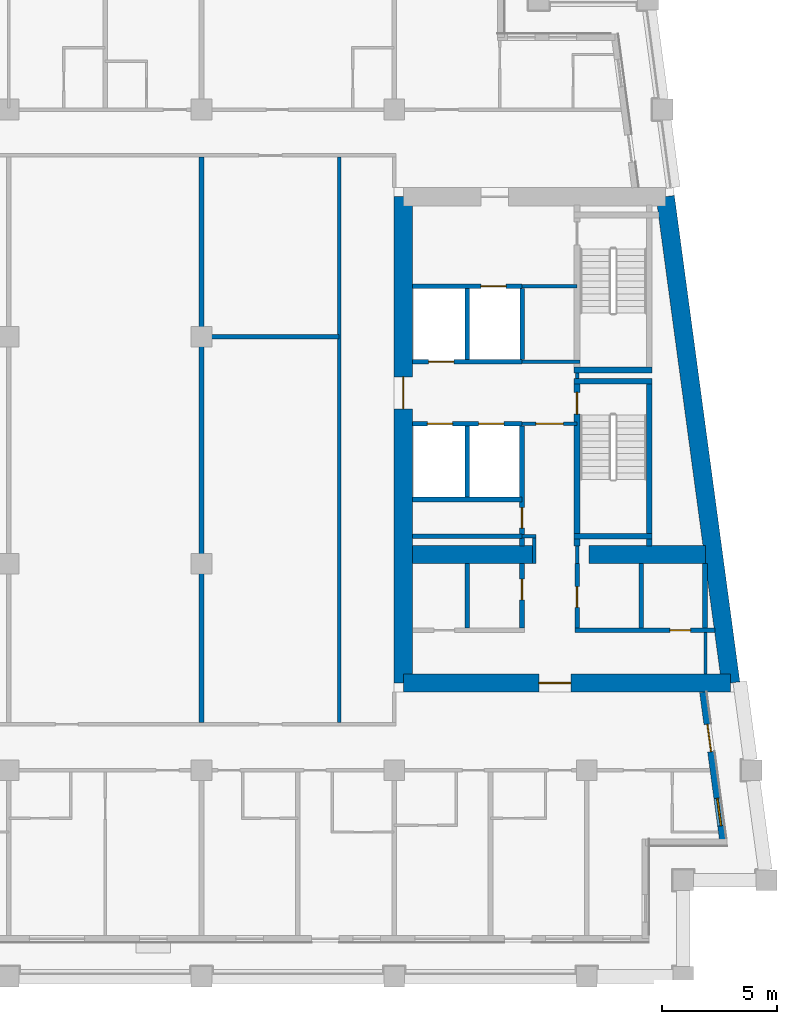
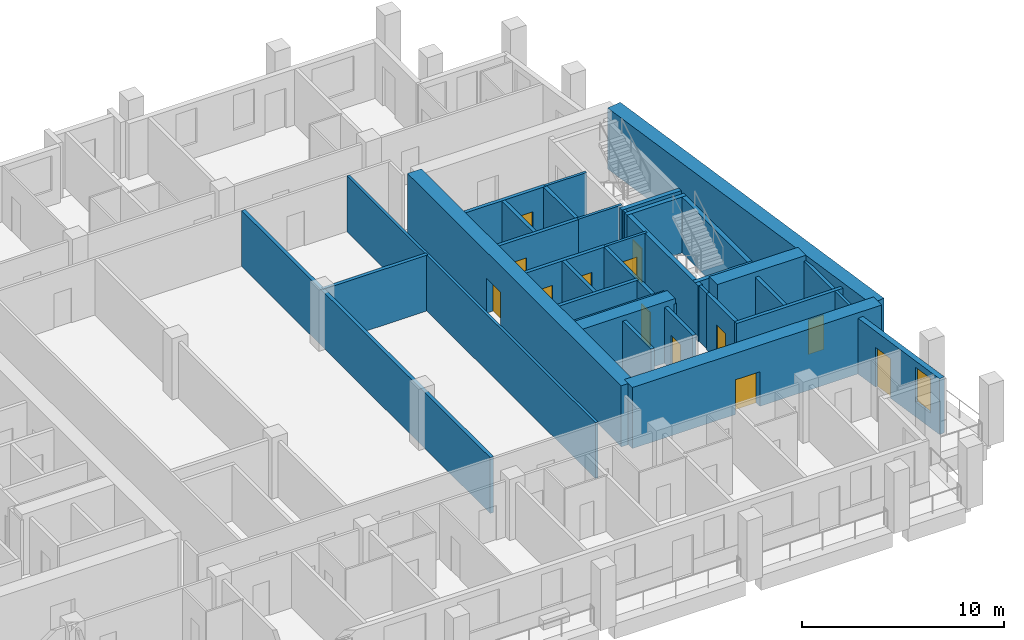
# One storey, part 5 of 13: 37 walls, 13 doors, 1 window, 14 openings.
"""IFC4 building model written with IfcOpenShell, lengths in metres."""

from ifc_helpers import new_model, si_unit, direction, frame, frame_2d, origin, place, context, subcontext, project, spatial, rectangle, extrude, material, layer, layer_set, type_object, element, fill, save


model = new_model("IFC4")

# Units and contexts
model_context = context("Model", 3, precision=1e-05, world=origin(), true_north=direction((0.0, 1.0)))
body_context = subcontext(model_context, "Body", "Model", "MODEL_VIEW")
ifc_project = project(units=[si_unit("LENGTHUNIT", "METRE"), si_unit("AREAUNIT", "SQUARE_METRE"), si_unit("VOLUMEUNIT", "CUBIC_METRE"), si_unit("PLANEANGLEUNIT", "RADIAN"), si_unit("MASSUNIT", "GRAM", prefix="KILO")], contexts=[model_context])

# Site, building, storey
site_placement = place(None, origin())
site = spatial("IfcSite", under=ifc_project, at=site_placement, CompositionType="ELEMENT")
building_placement = place(site_placement, origin())
building = spatial("IfcBuilding", under=site, at=building_placement, Name="Candeia Pilgrim Tower and Theatre", CompositionType="ELEMENT")
storey_placement = place(building_placement, frame((0.0, 0.0, 220.699951171875)))
storey = spatial("IfcBuildingStorey", under=building, at=storey_placement, Name="L53", CompositionType="ELEMENT", Elevation=220.699951171875)

# Wall
ifc_material_1 = material(Name="Concrete C50/60", Category="concrete")
ifc_layer_1 = layer(ifc_material_1, 0.800048828125)
ifc_layer_set_1 = layer_set([ifc_layer_1], Name="Core wall 800 C50/60")
wall_type_1 = type_object("IfcWallType", Name="Core wall 800 C50/60", PredefinedType="SHEAR", material=ifc_layer_set_1)
wall_1_placement = place(storey_placement, frame((137.819580078125, 132.0, 0.0), z_axis=(0.0, 0.0, 1.0), x_axis=(0.133408347329, -0.991061154956, 0.0)))
element("IfcWall", 1, at=wall_1_placement, inside=storey, type_object=wall_type_1, Name="Core wall E2", PredefinedType="SHEAR", context=body_context, shape_type="SweptSolid", body=[
    extrude(rectangle(XDim=21.39111328125, YDim=0.800048828125, at=frame_2d((10.695556640625, 0.0))), origin(), (0.0, 0.0, 1.0), 3.699951171875),
])

# Wall, opening, door
wall_2_placement = place(storey_placement, frame((140.67333984375, 110.800048828125, 0.0), z_axis=(0.0, 0.0, 1.0), x_axis=(-1.0, 0.0, 0.0)))
wall_2 = element("IfcWall", 2, at=wall_2_placement, inside=storey, type_object=wall_type_1, Name="Core wall E3", PredefinedType="SHEAR", context=body_context, shape_type="SweptSolid", body=[
    extrude(rectangle(XDim=14.2734375, YDim=0.800048828125, at=frame_2d((7.13671875, 0.0))), origin(), (0.0, 0.0, 1.0), 3.699951171875),
])
opening_1_placement = place(wall_2_placement, frame((6.96533203125, 0.0, 0.0)))
opening_1 = element("IfcOpeningElement", 3, at=opening_1_placement, cuts=wall_2, Name="Opening L53-D059", PredefinedType="OPENING", context=body_context, shape_type="SweptSolid", body=[
    extrude(rectangle(XDim=1.39990234375, YDim=2.10009765625, at=frame_2d((0.699951171875, 1.050048828125))), frame((0.0, 0.41015625, 0.0), z_axis=(0.0, -1.0, 0.0), x_axis=(1.0, 0.0, 0.0)), (0.0, 0.0, 1.0), 0.820068359375),
])
ifc_material_2 = material(Name="Steel fire door set", Category="steel")
door_type_1 = type_object("IfcDoorType", Name="D-1400-FD60", OperationType="NOTDEFINED", PredefinedType="DOOR", material=ifc_material_2)
door_1_placement = place(opening_1_placement, origin())
door_1 = element("IfcDoor", 4, at=door_1_placement, inside=storey, type_object=door_type_1, Name="Door L53-D059", OperationType="SINGLE_SWING_RIGHT", OverallHeight=2.10009765625, OverallWidth=1.39990234375, PredefinedType="DOOR", context=body_context, shape_type="SweptSolid", body=[
    extrude(rectangle(XDim=1.39990234375, YDim=2.10009765625, at=frame_2d((0.699951171875, 1.050048828125))), frame((0.0, 0.02490234375, 0.0), z_axis=(0.0, -1.0, 0.0), x_axis=(1.0, 0.0, 0.0)), (0.0, 0.0, 1.0), 0.050048828125),
])
fill(opening_1, door_1)

wall_3_placement = place(storey_placement, frame((126.39990234375, 110.800048828125, 0.0), z_axis=(0.0, 0.0, 1.0), x_axis=(0.0, 1.0, 0.0)))
wall_3 = element("IfcWall", 5, at=wall_3_placement, inside=storey, type_object=wall_type_1, Name="Core wall E4", PredefinedType="SHEAR", context=body_context, shape_type="SweptSolid", body=[
    extrude(rectangle(XDim=21.199951171875, YDim=0.800048828125, at=frame_2d((10.60009765625, 0.0))), origin(), (0.0, 0.0, 1.0), 3.699951171875),
])
opening_2_placement = place(wall_3_placement, frame((11.949951171875, 0.0, 0.0)))
opening_2 = element("IfcOpeningElement", 6, at=opening_2_placement, cuts=wall_3, Name="Opening L53-D061", PredefinedType="OPENING", context=body_context, shape_type="SweptSolid", body=[
    extrude(rectangle(XDim=1.39990234375, YDim=2.10009765625, at=frame_2d((0.699951171875, 1.050048828125))), frame((0.0, 0.41015625, 0.0), z_axis=(0.0, -1.0, 0.0), x_axis=(1.0, 0.0, 0.0)), (0.0, 0.0, 1.0), 0.820068359375),
])
door_2_placement = place(opening_2_placement, origin())
door_2 = element("IfcDoor", 7, at=door_2_placement, inside=storey, type_object=door_type_1, Name="Door L53-D061", OperationType="SINGLE_SWING_RIGHT", OverallHeight=2.10009765625, OverallWidth=1.39990234375, PredefinedType="DOOR", context=body_context, shape_type="SweptSolid", body=[
    extrude(rectangle(XDim=1.39990234375, YDim=2.10009765625, at=frame_2d((0.699951171875, 1.050048828125))), frame((0.0, 0.02490234375, 0.0), z_axis=(0.0, -1.0, 0.0), x_axis=(1.0, 0.0, 0.0)), (0.0, 0.0, 1.0), 0.050048828125),
])
fill(opening_2, door_2)

# Walls
wall_4_placement = place(storey_placement, frame((126.800048828125, 116.39990234375, 0.0), z_axis=(0.0, 0.0, 1.0), x_axis=(1.0, 0.0, 0.0)))
element("IfcWall", 8, at=wall_4_placement, inside=storey, type_object=wall_type_1, Name="Core wall E5", PredefinedType="SHEAR", context=body_context, shape_type="SweptSolid", body=[
    extrude(rectangle(XDim=5.300048828125, YDim=0.800048828125, at=frame_2d((2.64990234375, 0.0))), origin(), (0.0, 0.0, 1.0), 3.699951171875),
])
wall_5_placement = place(storey_placement, frame((134.5, 116.39990234375, 0.0), z_axis=(0.0, 0.0, 1.0), x_axis=(1.0, 0.0, 0.0)))
element("IfcWall", 9, at=wall_5_placement, inside=storey, type_object=wall_type_1, Name="Core wall E6", PredefinedType="SHEAR", context=body_context, shape_type="SweptSolid", body=[
    extrude(rectangle(XDim=5.076904296875, YDim=0.800048828125, at=frame_2d((2.53857421875, 0.0))), origin(), (0.0, 0.0, 1.0), 3.699951171875),
])

# Wall, openings, door, window
ifc_material_3 = material(Name="Ceramic block masonry", Category="masonry")
ifc_layer_2 = layer(ifc_material_3, 0.300048828125)
ifc_layer_set_2 = layer_set([ifc_layer_2], Name="EW1 glazing-line wall 300")
wall_type_2 = type_object("IfcWallType", Name="EW1 glazing-line wall 300", PredefinedType="SOLIDWALL", material=ifc_layer_set_2)
wall_6_placement = place(storey_placement, frame((140.34765625, 103.85009765625, 0.0), z_axis=(0.0, 0.0, 1.0), x_axis=(-0.133431549479, 0.991058031401, 0.0)))
wall_6 = element("IfcWall", 10, at=wall_6_placement, inside=storey, type_object=wall_type_2, Name="External wall L53-3.0", PredefinedType="SOLIDWALL", context=body_context, shape_type="SweptSolid", body=[
    extrude(rectangle(XDim=6.60888671875, YDim=0.300048828125, at=frame_2d((3.304443359375, 0.0))), origin(), (0.0, 0.0, 1.0), 3.380126953125),
])
opening_3_placement = place(wall_6_placement, frame((0.736572265625, 0.0, 0.89990234375)))
opening_3 = element("IfcOpeningElement", 11, at=opening_3_placement, cuts=wall_6, Name="Opening W-B", PredefinedType="OPENING", context=body_context, shape_type="SweptSolid", body=[
    extrude(rectangle(XDim=1.199951171875, YDim=2.10009765625, at=frame_2d((0.60009765625, 1.050048828125))), frame((0.0, 0.16015625, 0.0), z_axis=(0.0, -1.0, 0.0), x_axis=(1.0, 0.0, 0.0)), (0.0, 0.0, 1.0), 0.320068359375),
])
opening_4_placement = place(wall_6_placement, frame((3.990966796875, 0.0, 0.0)))
opening_4 = element("IfcOpeningElement", 12, at=opening_4_placement, cuts=wall_6, Name="Opening L53-ED506", PredefinedType="OPENING", context=body_context, shape_type="SweptSolid", body=[
    extrude(rectangle(XDim=1.199951171875, YDim=2.39990234375, at=frame_2d((0.60009765625, 1.199951171875))), frame((0.0, 0.16015625, 0.0), z_axis=(0.0, -1.0, 0.0), x_axis=(1.0, 0.0, 0.0)), (0.0, 0.0, 1.0), 0.320068359375),
])
ifc_material_4 = material(Name="Aluminium framed glazed door", Category="aluminium")
door_type_2 = type_object("IfcDoorType", Name="Loggia door 1200x2400", OperationType="DOUBLE_DOOR_SINGLE_SWING", PredefinedType="DOOR", material=ifc_material_4)
door_3_placement = place(opening_4_placement, origin())
door_3 = element("IfcDoor", 13, at=door_3_placement, inside=storey, type_object=door_type_2, Name="Loggia door L53-ED506", OperationType="DOUBLE_DOOR_SINGLE_SWING", OverallHeight=2.39990234375, OverallWidth=1.199951171875, PredefinedType="DOOR", context=body_context, shape_type="SweptSolid", body=[
    extrude(rectangle(XDim=1.199951171875, YDim=2.39990234375, at=frame_2d((0.60009765625, 1.199951171875))), frame((0.0, 0.02490234375, 0.0), z_axis=(0.0, -1.0, 0.0), x_axis=(1.0, 0.0, 0.0)), (0.0, 0.0, 1.0), 0.050048828125),
])
fill(opening_4, door_3)
ifc_material_5 = material(Name="Aluminium framed double glazing", Category="aluminium")
window_type = type_object("IfcWindowType", Name="W-B window 1200x2100", PartitioningType="SINGLE_PANEL", PredefinedType="WINDOW", material=ifc_material_5)
window_placement = place(opening_3_placement, origin())
window = element("IfcWindow", 14, at=window_placement, inside=storey, type_object=window_type, Name="Window W-B L53", OverallHeight=2.10009765625, OverallWidth=1.199951171875, PartitioningType="SINGLE_PANEL", PredefinedType="WINDOW", context=body_context, shape_type="SweptSolid", body=[
    extrude(rectangle(XDim=1.199951171875, YDim=2.10009765625, at=frame_2d((0.60009765625, 1.050048828125))), frame((0.0, 0.030029296875, 0.0), z_axis=(0.0, -1.0, 0.0), x_axis=(1.0, 0.0, 0.0)), (0.0, 0.0, 1.0), 0.06005859375),
])
fill(opening_3, window)

# Wall
ifc_material_6 = material(Name="Gypsum board partition on steel studs", Category="steel")
ifc_layer_3 = layer(ifc_material_6, 0.14990234375)
ifc_layer_set_3 = layer_set([ifc_layer_3], Name="PW-150 lobby wall")
wall_type_3 = type_object("IfcWallType", Name="PW-150 lobby wall", PredefinedType="PARTITIONING", material=ifc_layer_set_3)
wall_7_placement = place(storey_placement, frame((131.572998046875, 117.199951171875, 0.0), z_axis=(0.0, 0.0, 1.0), x_axis=(1.0, 0.0, 0.0)))
element("IfcWall", 15, at=wall_7_placement, inside=storey, type_object=wall_type_3, Name="Lobby wall L53-021", PredefinedType="PARTITIONING", context=body_context, shape_type="SweptSolid", body=[
    extrude(rectangle(XDim=0.60205078125, YDim=0.14990234375, at=frame_2d((0.301025390625, 0.0))), origin(), (0.0, 0.0, 1.0), 3.380126953125),
])

# Wall, opening, door
wall_8_placement = place(storey_placement, frame((131.572998046875, 122.10009765625, 0.0), z_axis=(0.0, 0.0, 1.0), x_axis=(1.0, 0.0, 0.0)))
wall_8 = element("IfcWall", 16, at=wall_8_placement, inside=storey, type_object=wall_type_3, Name="Lobby wall L53-029", PredefinedType="PARTITIONING", context=body_context, shape_type="SweptSolid", body=[
    extrude(rectangle(XDim=2.39990234375, YDim=0.14990234375, at=frame_2d((1.199951171875, 0.0))), origin(), (0.0, 0.0, 1.0), 3.380126953125),
])
opening_5_placement = place(wall_8_placement, frame((0.60009765625, 0.0, 0.0)))
opening_5 = element("IfcOpeningElement", 17, at=opening_5_placement, cuts=wall_8, Name="Opening L53-D009", PredefinedType="OPENING", context=body_context, shape_type="SweptSolid", body=[
    extrude(rectangle(XDim=1.199951171875, YDim=2.10009765625, at=frame_2d((0.60009765625, 1.050048828125))), frame((0.0, 0.0849609375, 0.0), z_axis=(0.0, -1.0, 0.0), x_axis=(1.0, 0.0, 0.0)), (0.0, 0.0, 1.0), 0.169921875),
])
door_type_3 = type_object("IfcDoorType", Name="D-1200-FD60", OperationType="NOTDEFINED", PredefinedType="DOOR", material=ifc_material_2)
door_4_placement = place(opening_5_placement, origin())
door_4 = element("IfcDoor", 18, at=door_4_placement, inside=storey, type_object=door_type_3, Name="Door L53-D009", OperationType="SINGLE_SWING_RIGHT", OverallHeight=2.10009765625, OverallWidth=1.199951171875, PredefinedType="DOOR", context=body_context, shape_type="SweptSolid", body=[
    extrude(rectangle(XDim=1.199951171875, YDim=2.10009765625, at=frame_2d((0.60009765625, 1.050048828125))), frame((0.0, 0.02490234375, 0.0), z_axis=(0.0, -1.0, 0.0), x_axis=(1.0, 0.0, 0.0)), (0.0, 0.0, 1.0), 0.050048828125),
])
fill(opening_5, door_4)

# Walls
wall_9_placement = place(storey_placement, frame((131.58203125, 124.800048828125, 0.0), z_axis=(0.0, 0.0, 1.0), x_axis=(1.0, 0.0, 0.0)))
element("IfcWall", 19, at=wall_9_placement, inside=storey, type_object=wall_type_3, Name="Lobby wall L53-036", PredefinedType="PARTITIONING", context=body_context, shape_type="SweptSolid", body=[
    extrude(rectangle(XDim=2.515869140625, YDim=0.14990234375, at=frame_2d((1.2578125, 0.0))), origin(), (0.0, 0.0, 1.0), 3.380126953125),
])
wall_10_placement = place(storey_placement, frame((131.58203125, 128.10009765625, 0.0), z_axis=(0.0, 0.0, 1.0), x_axis=(1.0, 0.0, 0.0)))
element("IfcWall", 20, at=wall_10_placement, inside=storey, type_object=wall_type_3, Name="Lobby wall L53-040", PredefinedType="PARTITIONING", context=body_context, shape_type="SweptSolid", body=[
    extrude(rectangle(XDim=2.390869140625, YDim=0.14990234375, at=frame_2d((1.1953125, 0.0))), origin(), (0.0, 0.0, 1.0), 3.380126953125),
])
wall_11_placement = place(storey_placement, frame((132.10009765625, 116.0, 0.0), z_axis=(0.0, 0.0, 1.0), x_axis=(0.0, 1.0, 0.0)))
element("IfcWall", 21, at=wall_11_placement, inside=storey, type_object=wall_type_3, Name="Lobby wall L53-109", PredefinedType="PARTITIONING", context=body_context, shape_type="SweptSolid", body=[
    extrude(rectangle(XDim=1.125, YDim=0.14990234375, at=frame_2d((0.5625, 0.0))), origin(), (0.0, 0.0, 1.0), 3.380126953125),
])
wall_12_placement = place(storey_placement, frame((133.972900390625, 116.0, 0.0), z_axis=(0.0, 0.0, 1.0), x_axis=(0.0, 1.0, 0.0)))
element("IfcWall", 22, at=wall_12_placement, inside=storey, type_object=wall_type_3, Name="Lobby wall L53-113", PredefinedType="PARTITIONING", context=body_context, shape_type="SweptSolid", body=[
    extrude(rectangle(XDim=0.77001953125, YDim=0.14990234375, at=frame_2d((0.385009765625, 0.0))), origin(), (0.0, 0.0, 1.0), 3.380126953125),
])
wall_13_placement = place(storey_placement, frame((133.972900390625, 124.074951171875, 0.0), z_axis=(0.0, 0.0, 1.0), x_axis=(0.0, 1.0, 0.0)))
element("IfcWall", 23, at=wall_13_placement, inside=storey, type_object=wall_type_3, Name="Lobby wall L53-114", PredefinedType="PARTITIONING", context=body_context, shape_type="SweptSolid", body=[
    extrude(rectangle(XDim=0.25, YDim=0.14990234375, at=frame_2d((0.125, 0.0))), origin(), (0.0, 0.0, 1.0), 3.380126953125),
])
wall_14_placement = place(storey_placement, frame((139.572998046875, 111.199951171875, 0.0), z_axis=(0.0, 0.0, 1.0), x_axis=(0.0, 1.0, 0.0)))
element("IfcWall", 24, at=wall_14_placement, inside=storey, type_object=wall_type_3, Name="Lobby wall L53-123", PredefinedType="PARTITIONING", context=body_context, shape_type="SweptSolid", body=[
    extrude(rectangle(XDim=1.800048828125, YDim=0.14990234375, at=frame_2d((0.89990234375, 0.0))), origin(), (0.0, 0.0, 1.0), 3.380126953125),
])
ifc_layer_4 = layer(ifc_material_6, 0.14990234375)
ifc_layer_set_4 = layer_set([ifc_layer_4], Name="PW-150 unit wall")
wall_type_4 = type_object("IfcWallType", Name="PW-150 unit wall", PredefinedType="PARTITIONING", material=ifc_layer_set_4)
wall_15_placement = place(storey_placement, frame((123.60009765625, 109.074951171875, 0.0), z_axis=(0.0, 0.0, 1.0), x_axis=(0.0, 1.0, 0.0)))
element("IfcWall", 25, at=wall_15_placement, inside=storey, type_object=wall_type_4, Name="Unit wall L53-094", PredefinedType="PARTITIONING", context=body_context, shape_type="SweptSolid", body=[
    extrude(rectangle(XDim=24.650146484375, YDim=0.14990234375, at=frame_2d((12.3251953125, 0.0))), origin(), (0.0, 0.0, 1.0), 3.380126953125),
])
ifc_layer_5 = layer(ifc_material_6, 0.199951171875)
ifc_layer_set_5 = layer_set([ifc_layer_5], Name="PW-200 party wall")
wall_type_5 = type_object("IfcWallType", Name="PW-200 party wall", PredefinedType="PARTITIONING", material=ifc_layer_set_5)
wall_16_placement = place(storey_placement, frame((117.60009765625, 125.89990234375, 0.0), z_axis=(0.0, 0.0, 1.0), x_axis=(1.0, 0.0, 0.0)))
element("IfcWall", 26, at=wall_16_placement, inside=storey, type_object=wall_type_5, Name="Party wall L53-037", PredefinedType="PARTITIONING", context=body_context, shape_type="SweptSolid", body=[
    extrude(rectangle(XDim=6.0, YDim=0.199951171875, at=frame_2d((3.0, 0.0))), origin(), (0.0, 0.0, 1.0), 3.380126953125),
])
wall_17_placement = place(storey_placement, frame((117.60009765625, 109.074951171875, 0.0), z_axis=(0.0, 0.0, 1.0), x_axis=(0.0, 1.0, 0.0)))
element("IfcWall", 27, at=wall_17_placement, inside=storey, type_object=wall_type_5, Name="Party wall L53-089", PredefinedType="PARTITIONING", context=body_context, shape_type="SweptSolid", body=[
    extrude(rectangle(XDim=24.650146484375, YDim=0.199951171875, at=frame_2d((12.3251953125, 0.0))), origin(), (0.0, 0.0, 1.0), 3.380126953125),
])

# Wall, opening, door
ifc_material_7 = material(Name="Concrete C40/50", Category="concrete")
ifc_layer_6 = layer(ifc_material_7, 0.199951171875)
ifc_layer_set_6 = layer_set([ifc_layer_6], Name="SW-200 shaft wall")
wall_type_6 = type_object("IfcWallType", Name="SW-200 shaft wall", PredefinedType="PARTITIONING", material=ifc_layer_set_6)
wall_18_placement = place(storey_placement, frame((133.873046875, 113.10009765625, 0.0), z_axis=(0.0, 0.0, 1.0), x_axis=(1.0, 0.0, 0.0)))
wall_18 = element("IfcWall", 28, at=wall_18_placement, inside=storey, type_object=wall_type_6, Name="Shaft wall L53-015", PredefinedType="PARTITIONING", context=body_context, shape_type="SweptSolid", body=[
    extrude(rectangle(XDim=6.116943359375, YDim=0.199951171875, at=frame_2d((3.05859375, 0.0))), origin(), (0.0, 0.0, 1.0), 3.380126953125),
])
opening_6_placement = place(wall_18_placement, frame((4.14990234375, 0.0, 0.0)))
opening_6 = element("IfcOpeningElement", 29, at=opening_6_placement, cuts=wall_18, Name="Opening L53-D013", PredefinedType="OPENING", context=body_context, shape_type="SweptSolid", body=[
    extrude(rectangle(XDim=0.89990234375, YDim=2.10009765625, at=frame_2d((0.449951171875, 1.050048828125))), frame((0.0, 0.10986328125, 0.0), z_axis=(0.0, -1.0, 0.0), x_axis=(1.0, 0.0, 0.0)), (0.0, 0.0, 1.0), 0.219970703125),
])
door_type_4 = type_object("IfcDoorType", Name="D-900-FD60", OperationType="NOTDEFINED", PredefinedType="DOOR", material=ifc_material_2)
door_5_placement = place(opening_6_placement, origin())
door_5 = element("IfcDoor", 30, at=door_5_placement, inside=storey, type_object=door_type_4, Name="Door L53-D013", OperationType="SINGLE_SWING_RIGHT", OverallHeight=2.10009765625, OverallWidth=0.89990234375, PredefinedType="DOOR", context=body_context, shape_type="SweptSolid", body=[
    extrude(rectangle(XDim=0.89990234375, YDim=2.10009765625, at=frame_2d((0.449951171875, 1.050048828125))), frame((0.0, 0.02490234375, 0.0), z_axis=(0.0, -1.0, 0.0), x_axis=(1.0, 0.0, 0.0)), (0.0, 0.0, 1.0), 0.050048828125),
])
fill(opening_6, door_5)

# Walls
for number, where, z_axis, x_axis, name in (
    (31, (126.800048828125, 117.199951171875, 0.0), (0.0, 0.0, 1.0), (1.0, 0.0, 0.0), "Shaft wall L53-019"),
    (32, (126.800048828125, 118.800048828125, 0.0), (0.0, 0.0, 1.0), (1.0, 0.0, 0.0), "Shaft wall L53-025"),
):
    element("IfcWall", number, at=place(storey_placement, frame(where, z_axis=z_axis, x_axis=x_axis)), inside=storey, type_object=wall_type_6, Name=name, PredefinedType="PARTITIONING", context=body_context, shape_type="SweptSolid", body=[
        extrude(rectangle(XDim=4.77294921875, YDim=0.199951171875, at=frame_2d((2.386474609375, 0.0))), origin(), (0.0, 0.0, 1.0), 3.380126953125),
    ])

# Wall, openings, doors
wall_19_placement = place(storey_placement, frame((126.800048828125, 122.10009765625, 0.0), z_axis=(0.0, 0.0, 1.0), x_axis=(1.0, 0.0, 0.0)))
wall_19 = element("IfcWall", 33, at=wall_19_placement, inside=storey, type_object=wall_type_6, Name="Shaft wall L53-027", PredefinedType="PARTITIONING", context=body_context, shape_type="SweptSolid", body=[
    extrude(rectangle(XDim=4.77294921875, YDim=0.199951171875, at=frame_2d((2.386474609375, 0.0))), origin(), (0.0, 0.0, 1.0), 3.380126953125),
])
opening_7_placement = place(wall_19_placement, frame((2.883056640625, 0.0, 0.0)))
opening_7 = element("IfcOpeningElement", 34, at=opening_7_placement, cuts=wall_19, Name="Opening L53-LD05", PredefinedType="OPENING", context=body_context, shape_type="SweptSolid", body=[
    extrude(rectangle(XDim=1.10009765625, YDim=2.10009765625, at=frame_2d((0.550048828125, 1.050048828125))), frame((0.0, 0.10986328125, 0.0), z_axis=(0.0, -1.0, 0.0), x_axis=(1.0, 0.0, 0.0)), (0.0, 0.0, 1.0), 0.219970703125),
])
opening_8_placement = place(wall_19_placement, frame((0.64306640625, 0.0, 0.0)))
opening_8 = element("IfcOpeningElement", 35, at=opening_8_placement, cuts=wall_19, Name="Opening L53-LD06", PredefinedType="OPENING", context=body_context, shape_type="SweptSolid", body=[
    extrude(rectangle(XDim=1.10009765625, YDim=2.10009765625, at=frame_2d((0.550048828125, 1.050048828125))), frame((0.0, 0.10986328125, 0.0), z_axis=(0.0, -1.0, 0.0), x_axis=(1.0, 0.0, 0.0)), (0.0, 0.0, 1.0), 0.219970703125),
])
ifc_material_8 = material(Name="Glazed aluminium landing door", Category="aluminium")
door_type_5 = type_object("IfcDoorType", Name="LD-1100-EI120", OperationType="SLIDING_TO_LEFT", PredefinedType="DOOR", material=ifc_material_8)
door_6_placement = place(opening_7_placement, origin())
door_6 = element("IfcDoor", 36, at=door_6_placement, inside=storey, type_object=door_type_5, Name="Landing door 05 L53", OperationType="SLIDING_TO_LEFT", OverallHeight=2.10009765625, OverallWidth=1.10009765625, PredefinedType="DOOR", context=body_context, shape_type="SweptSolid", body=[
    extrude(rectangle(XDim=1.10009765625, YDim=2.10009765625, at=frame_2d((0.550048828125, 1.050048828125))), frame((0.0, 0.02490234375, 0.0), z_axis=(0.0, -1.0, 0.0), x_axis=(1.0, 0.0, 0.0)), (0.0, 0.0, 1.0), 0.050048828125),
])
fill(opening_7, door_6)
door_7_placement = place(opening_8_placement, origin())
door_7 = element("IfcDoor", 37, at=door_7_placement, inside=storey, type_object=door_type_5, Name="Landing door 06 L53", OperationType="SLIDING_TO_LEFT", OverallHeight=2.10009765625, OverallWidth=1.10009765625, PredefinedType="DOOR", context=body_context, shape_type="SweptSolid", body=[
    extrude(rectangle(XDim=1.10009765625, YDim=2.10009765625, at=frame_2d((0.550048828125, 1.050048828125))), frame((0.0, 0.02490234375, 0.0), z_axis=(0.0, -1.0, 0.0), x_axis=(1.0, 0.0, 0.0)), (0.0, 0.0, 1.0), 0.050048828125),
])
fill(opening_8, door_7)

# Wall, opening, door
wall_20_placement = place(storey_placement, frame((126.800048828125, 124.800048828125, 0.0), z_axis=(0.0, 0.0, 1.0), x_axis=(1.0, 0.0, 0.0)))
wall_20 = element("IfcWall", 38, at=wall_20_placement, inside=storey, type_object=wall_type_6, Name="Shaft wall L53-035", PredefinedType="PARTITIONING", context=body_context, shape_type="SweptSolid", body=[
    extrude(rectangle(XDim=4.781982421875, YDim=0.199951171875, at=frame_2d((2.39111328125, 0.0))), origin(), (0.0, 0.0, 1.0), 3.380126953125),
])
opening_9_placement = place(wall_20_placement, frame((0.705078125, 0.0, 0.0)))
opening_9 = element("IfcOpeningElement", 39, at=opening_9_placement, cuts=wall_20, Name="Opening L53-LD08", PredefinedType="OPENING", context=body_context, shape_type="SweptSolid", body=[
    extrude(rectangle(XDim=1.10009765625, YDim=2.10009765625, at=frame_2d((0.550048828125, 1.050048828125))), frame((0.0, 0.10986328125, 0.0), z_axis=(0.0, -1.0, 0.0), x_axis=(1.0, 0.0, 0.0)), (0.0, 0.0, 1.0), 0.219970703125),
])
door_8_placement = place(opening_9_placement, origin())
door_8 = element("IfcDoor", 40, at=door_8_placement, inside=storey, type_object=door_type_5, Name="Landing door 08 L53", OperationType="SLIDING_TO_LEFT", OverallHeight=2.10009765625, OverallWidth=1.10009765625, PredefinedType="DOOR", context=body_context, shape_type="SweptSolid", body=[
    extrude(rectangle(XDim=1.10009765625, YDim=2.10009765625, at=frame_2d((0.550048828125, 1.050048828125))), frame((0.0, 0.02490234375, 0.0), z_axis=(0.0, -1.0, 0.0), x_axis=(1.0, 0.0, 0.0)), (0.0, 0.0, 1.0), 0.050048828125),
])
fill(opening_9, door_8)

wall_21_placement = place(storey_placement, frame((126.800048828125, 128.10009765625, 0.0), z_axis=(0.0, 0.0, 1.0), x_axis=(1.0, 0.0, 0.0)))
wall_21 = element("IfcWall", 41, at=wall_21_placement, inside=storey, type_object=wall_type_6, Name="Shaft wall L53-039", PredefinedType="PARTITIONING", context=body_context, shape_type="SweptSolid", body=[
    extrude(rectangle(XDim=4.781982421875, YDim=0.199951171875, at=frame_2d((2.39111328125, 0.0))), origin(), (0.0, 0.0, 1.0), 3.380126953125),
])
opening_10_placement = place(wall_21_placement, frame((2.97705078125, 0.0, 0.0)))
opening_10 = element("IfcOpeningElement", 42, at=opening_10_placement, cuts=wall_21, Name="Opening L53-LD07", PredefinedType="OPENING", context=body_context, shape_type="SweptSolid", body=[
    extrude(rectangle(XDim=1.10009765625, YDim=2.10009765625, at=frame_2d((0.550048828125, 1.050048828125))), frame((0.0, 0.10986328125, 0.0), z_axis=(0.0, -1.0, 0.0), x_axis=(1.0, 0.0, 0.0)), (0.0, 0.0, 1.0), 0.219970703125),
])
door_9_placement = place(opening_10_placement, origin())
door_9 = element("IfcDoor", 43, at=door_9_placement, inside=storey, type_object=door_type_5, Name="Landing door 07 L53", OperationType="SLIDING_TO_LEFT", OverallHeight=2.10009765625, OverallWidth=1.10009765625, PredefinedType="DOOR", context=body_context, shape_type="SweptSolid", body=[
    extrude(rectangle(XDim=1.10009765625, YDim=2.10009765625, at=frame_2d((0.550048828125, 1.050048828125))), frame((0.0, 0.02490234375, 0.0), z_axis=(0.0, -1.0, 0.0), x_axis=(1.0, 0.0, 0.0)), (0.0, 0.0, 1.0), 0.050048828125),
])
fill(opening_10, door_9)

# Walls
wall_22_placement = place(storey_placement, frame((129.1865234375, 113.199951171875, 0.0), z_axis=(0.0, 0.0, 1.0), x_axis=(0.0, 1.0, 0.0)))
element("IfcWall", 44, at=wall_22_placement, inside=storey, type_object=wall_type_6, Name="Shaft wall L53-101", PredefinedType="PARTITIONING", context=body_context, shape_type="SweptSolid", body=[
    extrude(rectangle(XDim=2.800048828125, YDim=0.199951171875, at=frame_2d((1.39990234375, 0.0))), origin(), (0.0, 0.0, 1.0), 3.380126953125),
])
for number, where, z_axis, x_axis, name in (
    (45, (129.1865234375, 118.89990234375, 0.0), (0.0, 0.0, 1.0), (0.0, 1.0, 0.0), "Shaft wall L53-102"),
    (46, (129.19091796875, 124.89990234375, 0.0), (0.0, 0.0, 1.0), (0.0, 1.0, 0.0), "Shaft wall L53-103"),
):
    element("IfcWall", number, at=place(storey_placement, frame(where, z_axis=z_axis, x_axis=x_axis)), inside=storey, type_object=wall_type_6, Name=name, PredefinedType="PARTITIONING", context=body_context, shape_type="SweptSolid", body=[
        extrude(rectangle(XDim=3.10009765625, YDim=0.199951171875, at=frame_2d((1.550048828125, 0.0))), origin(), (0.0, 0.0, 1.0), 3.380126953125),
    ])

# Wall, opening, door
wall_23_placement = place(storey_placement, frame((131.572998046875, 113.199951171875, 0.0), z_axis=(0.0, 0.0, 1.0), x_axis=(0.0, 1.0, 0.0)))
wall_23 = element("IfcWall", 47, at=wall_23_placement, inside=storey, type_object=wall_type_6, Name="Shaft wall L53-106", PredefinedType="PARTITIONING", context=body_context, shape_type="SweptSolid", body=[
    extrude(rectangle(XDim=2.800048828125, YDim=0.199951171875, at=frame_2d((1.39990234375, 0.0))), origin(), (0.0, 0.0, 1.0), 3.380126953125),
])
opening_11_placement = place(wall_23_placement, frame((1.22509765625, 0.0, 0.0)))
opening_11 = element("IfcOpeningElement", 48, at=opening_11_placement, cuts=wall_23, Name="Opening L53-D015", PredefinedType="OPENING", context=body_context, shape_type="SweptSolid", body=[
    extrude(rectangle(XDim=0.89990234375, YDim=2.10009765625, at=frame_2d((0.449951171875, 1.050048828125))), frame((0.0, 0.10986328125, 0.0), z_axis=(0.0, -1.0, 0.0), x_axis=(1.0, 0.0, 0.0)), (0.0, 0.0, 1.0), 0.219970703125),
])
door_10_placement = place(opening_11_placement, origin())
door_10 = element("IfcDoor", 49, at=door_10_placement, inside=storey, type_object=door_type_4, Name="Door L53-D015", OperationType="SINGLE_SWING_RIGHT", OverallHeight=2.10009765625, OverallWidth=0.89990234375, PredefinedType="DOOR", context=body_context, shape_type="SweptSolid", body=[
    extrude(rectangle(XDim=0.89990234375, YDim=2.10009765625, at=frame_2d((0.449951171875, 1.050048828125))), frame((0.0, 0.02490234375, 0.0), z_axis=(0.0, -1.0, 0.0), x_axis=(1.0, 0.0, 0.0)), (0.0, 0.0, 1.0), 0.050048828125),
])
fill(opening_11, door_10)

wall_24_placement = place(storey_placement, frame((131.572998046875, 116.77001953125, 0.0), z_axis=(0.0, 0.0, 1.0), x_axis=(0.0, 1.0, 0.0)))
wall_24 = element("IfcWall", 50, at=wall_24_placement, inside=storey, type_object=wall_type_6, Name="Shaft wall L53-107", PredefinedType="PARTITIONING", context=body_context, shape_type="SweptSolid", body=[
    extrude(rectangle(XDim=5.22998046875, YDim=0.199951171875, at=frame_2d((2.614990234375, 0.0))), origin(), (0.0, 0.0, 1.0), 3.380126953125),
])
opening_12_placement = place(wall_24_placement, frame((0.780029296875, 0.0, 0.0)))
opening_12 = element("IfcOpeningElement", 51, at=opening_12_placement, cuts=wall_24, Name="Opening L53-D012", PredefinedType="OPENING", context=body_context, shape_type="SweptSolid", body=[
    extrude(rectangle(XDim=0.89990234375, YDim=2.10009765625, at=frame_2d((0.449951171875, 1.050048828125))), frame((0.0, 0.10986328125, 0.0), z_axis=(0.0, -1.0, 0.0), x_axis=(1.0, 0.0, 0.0)), (0.0, 0.0, 1.0), 0.219970703125),
])
door_11_placement = place(opening_12_placement, origin())
door_11 = element("IfcDoor", 52, at=door_11_placement, inside=storey, type_object=door_type_4, Name="Door L53-D012", OperationType="SINGLE_SWING_LEFT", OverallHeight=2.10009765625, OverallWidth=0.89990234375, PredefinedType="DOOR", context=body_context, shape_type="SweptSolid", body=[
    extrude(rectangle(XDim=0.89990234375, YDim=2.10009765625, at=frame_2d((0.449951171875, 1.050048828125))), frame((0.0, 0.02490234375, 0.0), z_axis=(0.0, -1.0, 0.0), x_axis=(1.0, 0.0, 0.0)), (0.0, 0.0, 1.0), 0.050048828125),
])
fill(opening_12, door_11)

# Wall
wall_25_placement = place(storey_placement, frame((131.58203125, 124.89990234375, 0.0), z_axis=(0.0, 0.0, 1.0), x_axis=(0.0, 1.0, 0.0)))
element("IfcWall", 53, at=wall_25_placement, inside=storey, type_object=wall_type_6, Name="Shaft wall L53-108", PredefinedType="PARTITIONING", context=body_context, shape_type="SweptSolid", body=[
    extrude(rectangle(XDim=3.10009765625, YDim=0.199951171875, at=frame_2d((1.550048828125, 0.0))), origin(), (0.0, 0.0, 1.0), 3.380126953125),
])

# Wall, opening, door
wall_26_placement = place(storey_placement, frame((133.972900390625, 113.199951171875, 0.0), z_axis=(0.0, 0.0, 1.0), x_axis=(0.0, 1.0, 0.0)))
wall_26 = element("IfcWall", 54, at=wall_26_placement, inside=storey, type_object=wall_type_6, Name="Shaft wall L53-112", PredefinedType="PARTITIONING", context=body_context, shape_type="SweptSolid", body=[
    extrude(rectangle(XDim=2.800048828125, YDim=0.199951171875, at=frame_2d((1.39990234375, 0.0))), origin(), (0.0, 0.0, 1.0), 3.380126953125),
])
opening_13_placement = place(wall_26_placement, frame((0.89990234375, 0.0, 0.0)))
opening_13 = element("IfcOpeningElement", 55, at=opening_13_placement, cuts=wall_26, Name="Opening L53-D014", PredefinedType="OPENING", context=body_context, shape_type="SweptSolid", body=[
    extrude(rectangle(XDim=0.89990234375, YDim=2.10009765625, at=frame_2d((0.449951171875, 1.050048828125))), frame((0.0, 0.10986328125, 0.0), z_axis=(0.0, -1.0, 0.0), x_axis=(1.0, 0.0, 0.0)), (0.0, 0.0, 1.0), 0.219970703125),
])
door_12_placement = place(opening_13_placement, origin())
door_12 = element("IfcDoor", 56, at=door_12_placement, inside=storey, type_object=door_type_4, Name="Door L53-D014", OperationType="SINGLE_SWING_LEFT", OverallHeight=2.10009765625, OverallWidth=0.89990234375, PredefinedType="DOOR", context=body_context, shape_type="SweptSolid", body=[
    extrude(rectangle(XDim=0.89990234375, YDim=2.10009765625, at=frame_2d((0.449951171875, 1.050048828125))), frame((0.0, 0.02490234375, 0.0), z_axis=(0.0, -1.0, 0.0), x_axis=(1.0, 0.0, 0.0)), (0.0, 0.0, 1.0), 0.050048828125),
])
fill(opening_13, door_12)

# Walls
for number, where, z_axis, x_axis, name in (
    (57, (136.77294921875, 113.199951171875, 0.0), (0.0, 0.0, 1.0), (0.0, 1.0, 0.0), "Shaft wall L53-118"),
    (58, (139.550537109375, 113.199951171875, 0.0), (0.0, 0.0, 1.0), (0.0, 1.0, 0.0), "Shaft wall L53-122"),
):
    element("IfcWall", number, at=place(storey_placement, frame(where, z_axis=z_axis, x_axis=x_axis)), inside=storey, type_object=wall_type_6, Name=name, PredefinedType="PARTITIONING", context=body_context, shape_type="SweptSolid", body=[
        extrude(rectangle(XDim=2.800048828125, YDim=0.199951171875, at=frame_2d((1.39990234375, 0.0))), origin(), (0.0, 0.0, 1.0), 3.380126953125),
    ])
ifc_layer_7 = layer(ifc_material_7, 0.25)
ifc_layer_set_7 = layer_set([ifc_layer_7], Name="SW-250 stair wall")
wall_type_7 = type_object("IfcWallType", Name="SW-250 stair wall", PredefinedType="PARTITIONING", material=ifc_layer_set_7)
for number, where, z_axis, x_axis, name in (
    (59, (133.847900390625, 117.199951171875, 0.0), (0.0, 0.0, 1.0), (1.0, 0.0, 0.0), "Stair wall L53-023"),
    (60, (133.847900390625, 123.949951171875, 0.0), (0.0, 0.0, 1.0), (1.0, 0.0, 0.0), "Stair wall L53-031"),
    (61, (133.847900390625, 124.449951171875, 0.0), (0.0, 0.0, 1.0), (1.0, 0.0, 0.0), "Stair wall L53-033"),
):
    element("IfcWall", number, at=place(storey_placement, frame(where, z_axis=z_axis, x_axis=x_axis)), inside=storey, type_object=wall_type_7, Name=name, PredefinedType="PARTITIONING", context=body_context, shape_type="SweptSolid", body=[
        extrude(rectangle(XDim=3.400146484375, YDim=0.25, at=frame_2d((1.7001953125, 0.0))), origin(), (0.0, 0.0, 1.0), 3.380126953125),
    ])

# Wall, opening, door
wall_27_placement = place(storey_placement, frame((133.972900390625, 116.77001953125, 0.0), z_axis=(0.0, 0.0, 1.0), x_axis=(0.0, 1.0, 0.0)))
wall_27 = element("IfcWall", 62, at=wall_27_placement, inside=storey, type_object=wall_type_7, Name="Stair wall L53-115", PredefinedType="PARTITIONING", context=body_context, shape_type="SweptSolid", body=[
    extrude(rectangle(XDim=7.054931640625, YDim=0.25, at=frame_2d((3.52734375, 0.0))), origin(), (0.0, 0.0, 1.0), 3.380126953125),
])
opening_14_placement = place(wall_27_placement, frame((5.7548828125, 0.0, 0.0)))
opening_14 = element("IfcOpeningElement", 63, at=opening_14_placement, cuts=wall_27, Name="Opening L53-D010", PredefinedType="OPENING", context=body_context, shape_type="SweptSolid", body=[
    extrude(rectangle(XDim=0.949951171875, YDim=2.10009765625, at=frame_2d((0.47509765625, 1.050048828125))), frame((0.0, 0.135009765625, 0.0), z_axis=(0.0, -1.0, 0.0), x_axis=(1.0, 0.0, 0.0)), (0.0, 0.0, 1.0), 0.27001953125),
])
door_type_6 = type_object("IfcDoorType", Name="D-950-FD60", OperationType="NOTDEFINED", PredefinedType="DOOR", material=ifc_material_2)
door_13_placement = place(opening_14_placement, origin())
door_13 = element("IfcDoor", 64, at=door_13_placement, inside=storey, type_object=door_type_6, Name="Door L53-D010", OperationType="SINGLE_SWING_LEFT", OverallHeight=2.10009765625, OverallWidth=0.949951171875, PredefinedType="DOOR", context=body_context, shape_type="SweptSolid", body=[
    extrude(rectangle(XDim=0.949951171875, YDim=2.10009765625, at=frame_2d((0.47509765625, 1.050048828125))), frame((0.0, 0.02490234375, 0.0), z_axis=(0.0, -1.0, 0.0), x_axis=(1.0, 0.0, 0.0)), (0.0, 0.0, 1.0), 0.050048828125),
])
fill(opening_14, door_13)

# Wall
wall_28_placement = place(storey_placement, frame((137.123046875, 116.77001953125, 0.0), z_axis=(0.0, 0.0, 1.0), x_axis=(0.0, 1.0, 0.0)))
element("IfcWall", 65, at=wall_28_placement, inside=storey, type_object=wall_type_7, Name="Stair wall L53-119", PredefinedType="PARTITIONING", context=body_context, shape_type="SweptSolid", body=[
    extrude(rectangle(XDim=7.054931640625, YDim=0.25, at=frame_2d((3.52734375, 0.0))), origin(), (0.0, 0.0, 1.0), 3.380126953125),
])

save(model, "model.ifc")
